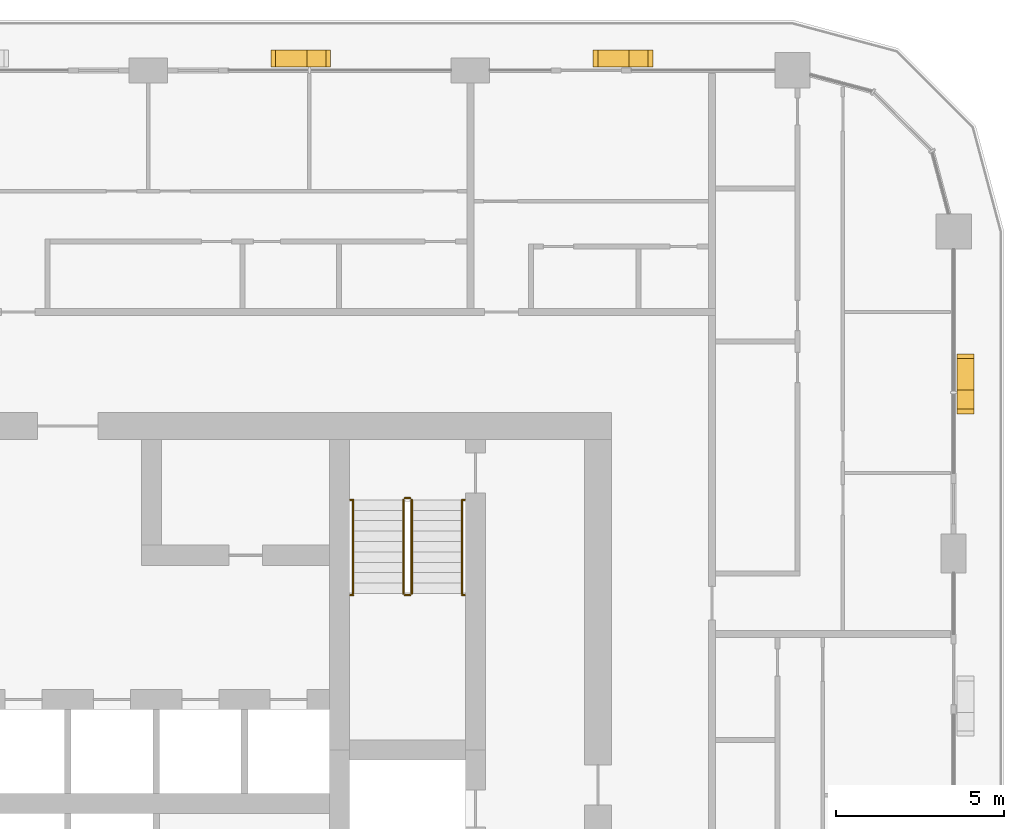
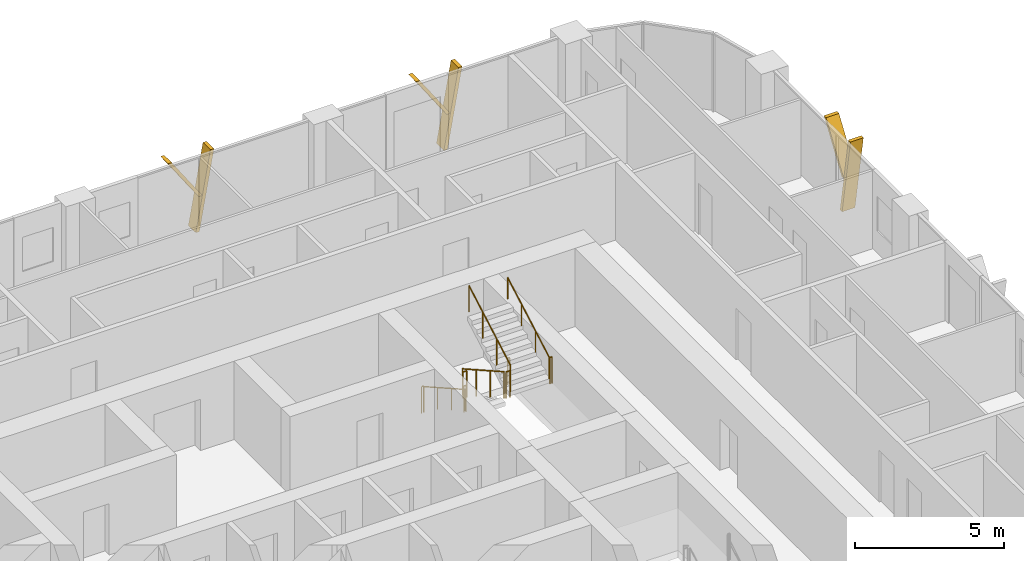
# One storey, part 22 of 22: 10 railings, 6 shading devices.
"""IFC4 building model written with IfcOpenShell, lengths in metres."""

from ifc_helpers import new_model, si_unit, direction, frame, origin, origin_2d, place, context, subcontext, project, spatial, polyline, circle, outline, extrude, material, type_object, element, save


model = new_model("IFC4")

# Units and contexts
model_context = context("Model", 3, precision=1e-05, world=origin(), true_north=direction((0.0, 1.0)))
body_context = subcontext(model_context, "Body", "Model", "MODEL_VIEW")
ifc_project = project(units=[si_unit("LENGTHUNIT", "METRE"), si_unit("AREAUNIT", "SQUARE_METRE"), si_unit("VOLUMEUNIT", "CUBIC_METRE"), si_unit("PLANEANGLEUNIT", "RADIAN"), si_unit("MASSUNIT", "GRAM", prefix="KILO")], contexts=[model_context])

# Site, building, storey
site_placement = place(None, origin())
site = spatial("IfcSite", under=ifc_project, at=site_placement, CompositionType="ELEMENT")
building_placement = place(site_placement, origin())
building = spatial("IfcBuilding", under=site, at=building_placement, Name="Madar Terraces", CompositionType="ELEMENT")
storey_placement = place(building_placement, frame((0.0, 0.0, 163.0)))
storey = spatial("IfcBuildingStorey", under=building, at=storey_placement, Name="L42", CompositionType="ELEMENT", Elevation=163.0)

# Shading devices
ifc_material_1 = material(Name="Aluminium, black anodised", Category="aluminium")
shading_device_type = type_object("IfcShadingDeviceType", Name="Facade fin blade 140 x 500", PredefinedType="USERDEFINED", material=ifc_material_1)
shading_device_1_placement = place(storey_placement, frame((57.949951171875, 38.330078125, 0.0), z_axis=(0.0, 0.0, 1.0), x_axis=(0.0, 1.0, 0.0)))
element("IfcShadingDevice", 1, at=shading_device_1_placement, inside=storey, type_object=shading_device_type, Name="FIN L42 E4", ObjectType="FIN", PredefinedType="USERDEFINED", context=body_context, shape_type="SweptSolid", body=[
    extrude(outline(polyline([(0.0, 0.0), (0.139892578125, 0.0), (-0.42431640625, 3.199951171875), (-0.564208984375, 3.199951171875), (0.0, 0.0)])), frame((0.0, 0.25, 0.0), z_axis=(0.0, -1.0, 0.0), x_axis=(1.0, 0.0, 0.0)), (0.0, 0.0, 1.0), 0.5),
])
shading_device_2_placement = place(storey_placement, frame((57.949951171875, 38.216064453125, 1.43994140625), z_axis=(0.0, 0.0, 1.0), x_axis=(0.0, 1.0, 0.0)))
element("IfcShadingDevice", 2, at=shading_device_2_placement, inside=storey, type_object=shading_device_type, Name="FIN L42 E4 branch", ObjectType="FIN", PredefinedType="USERDEFINED", context=body_context, shape_type="SweptSolid", body=[
    extrude(outline(polyline([(0.0, 0.0), (0.14013671875, 0.0), (1.32958984375, 1.760009765625), (1.189697265625, 1.760009765625), (0.0, 0.0)])), frame((0.0, 0.25, 0.0), z_axis=(0.0, -1.0, 0.0), x_axis=(1.0, 0.0, 0.0)), (0.0, 0.0, 1.0), 0.5),
])
shading_device_3_placement = place(storey_placement, frame((48.070068359375, 48.35009765625, 0.0), z_axis=(0.0, 0.0, 1.0), x_axis=(-1.0, 0.0, 0.0)))
element("IfcShadingDevice", 3, at=shading_device_3_placement, inside=storey, type_object=shading_device_type, Name="FIN L42 N1", ObjectType="FIN", PredefinedType="USERDEFINED", context=body_context, shape_type="SweptSolid", body=[
    extrude(outline(polyline([(0.0, 0.0), (0.14013671875, 0.0), (-0.42431640625, 3.199951171875), (-0.564208984375, 3.199951171875), (0.0, 0.0)])), frame((0.0, 0.25, 0.0), z_axis=(0.0, -1.0, 0.0), x_axis=(1.0, 0.0, 0.0)), (0.0, 0.0, 1.0), 0.5),
])
shading_device_4_placement = place(storey_placement, frame((48.183837890625, 48.35009765625, 1.43994140625), z_axis=(0.0, 0.0, 1.0), x_axis=(-1.0, 0.0, 0.0)))
element("IfcShadingDevice", 4, at=shading_device_4_placement, inside=storey, type_object=shading_device_type, Name="FIN L42 N1 branch", ObjectType="FIN", PredefinedType="USERDEFINED", context=body_context, shape_type="SweptSolid", body=[
    extrude(outline(polyline([(0.0, 0.0), (0.139892578125, 0.0), (1.32958984375, 1.760009765625), (1.189697265625, 1.760009765625), (0.0, 0.0)])), frame((0.0, 0.25, 0.0), z_axis=(0.0, -1.0, 0.0), x_axis=(1.0, 0.0, 0.0)), (0.0, 0.0, 1.0), 0.5),
])
shading_device_5_placement = place(storey_placement, frame((38.469970703125, 48.35009765625, 0.0), z_axis=(0.0, 0.0, 1.0), x_axis=(-1.0, 0.0, 0.0)))
element("IfcShadingDevice", 5, at=shading_device_5_placement, inside=storey, type_object=shading_device_type, Name="FIN L42 N2", ObjectType="FIN", PredefinedType="USERDEFINED", context=body_context, shape_type="SweptSolid", body=[
    extrude(outline(polyline([(0.0, 0.0), (0.139892578125, 0.0), (-0.42431640625, 3.199951171875), (-0.564208984375, 3.199951171875), (0.0, 0.0)])), frame((0.0, 0.25, 0.0), z_axis=(0.0, -1.0, 0.0), x_axis=(1.0, 0.0, 0.0)), (0.0, 0.0, 1.0), 0.5),
])
shading_device_6_placement = place(storey_placement, frame((38.583984375, 48.35009765625, 1.43994140625), z_axis=(0.0, 0.0, 1.0), x_axis=(-1.0, 0.0, 0.0)))
element("IfcShadingDevice", 6, at=shading_device_6_placement, inside=storey, type_object=shading_device_type, Name="FIN L42 N2 branch", ObjectType="FIN", PredefinedType="USERDEFINED", context=body_context, shape_type="SweptSolid", body=[
    extrude(outline(polyline([(0.0, 0.0), (0.14013671875, 0.0), (1.32958984375, 1.760009765625), (1.189697265625, 1.760009765625), (0.0, 0.0)])), frame((0.0, 0.25, 0.0), z_axis=(0.0, -1.0, 0.0), x_axis=(1.0, 0.0, 0.0)), (0.0, 0.0, 1.0), 0.5),
])

# Railings
ifc_material_2 = material(Name="Stainless steel railing", Category="steel")
railing_type_1 = type_object("IfcRailingType", Name="Stair guard 1100", PredefinedType="GUARDRAIL", material=ifc_material_2)
railing_1_placement = place(storey_placement, frame((41.199951171875, 35.199951171875, 0.175048828125)))
element("IfcRailing", 7, at=railing_1_placement, inside=storey, type_object=railing_type_1, Name="L42 ST2 stair guard 1", PredefinedType="GUARDRAIL", context=body_context, shape_type="SweptSolid", body=[
    extrude(circle(Radius=0.02392578125, at=origin_2d()), frame((0.0, 0.0, 1.076171875), z_axis=(0.0, -0.870833779661, 0.491577591232), x_axis=(1.0, 0.0, 0.0)), (0.0, 0.0, 1.0), 3.203857421875),
    extrude(circle(Radius=0.02099609375, at=origin_2d()), origin(), (0.0, 0.0, 1.0), 1.052001953125),
    extrude(circle(Radius=0.02099609375, at=origin_2d()), frame((0.0, -0.929931640625, 0.52490234375)), (0.0, 0.0, 1.0), 1.052001953125),
    extrude(circle(Radius=0.02099609375, at=origin_2d()), frame((0.0, -1.860107421875, 1.050048828125)), (0.0, 0.0, 1.0), 1.052001953125),
    extrude(circle(Radius=0.02099609375, at=origin_2d()), frame((0.0, -2.7900390625, 1.574951171875)), (0.0, 0.0, 1.0), 1.052001953125),
])
railing_2_placement = place(storey_placement, frame((41.25, 32.360107421875, 1.75)))
element("IfcRailing", 8, at=railing_2_placement, inside=storey, type_object=railing_type_1, Name="L42 ST2 stair guard 2", PredefinedType="GUARDRAIL", context=body_context, shape_type="SweptSolid", body=[
    extrude(circle(Radius=0.02392578125, at=origin_2d()), frame((0.0, 0.0, 1.076171875), z_axis=(1.0, 0.0, 0.0), x_axis=(0.0, 1.0, 0.0)), (0.0, 0.0, 1.0), 0.14990234375),
    extrude(circle(Radius=0.02099609375, at=origin_2d()), origin(), (0.0, 0.0, 1.0), 1.052001953125),
    extrude(circle(Radius=0.02099609375, at=origin_2d()), frame((0.14990234375, 0.0, 0.0)), (0.0, 0.0, 1.0), 1.052001953125),
])
railing_3_placement = place(storey_placement, frame((41.449951171875, 32.409912109375, 1.925048828125)))
element("IfcRailing", 9, at=railing_3_placement, inside=storey, type_object=railing_type_1, Name="L42 ST2 stair guard 3", PredefinedType="GUARDRAIL", context=body_context, shape_type="SweptSolid", body=[
    extrude(circle(Radius=0.02392578125, at=origin_2d()), frame((0.0, 0.0, 1.076171875), z_axis=(0.0, 0.870833779661, 0.491577591232), x_axis=(-1.0, 0.0, 0.0)), (0.0, 0.0, 1.0), 3.203857421875),
    extrude(circle(Radius=0.02099609375, at=origin_2d()), origin(), (0.0, 0.0, 1.0), 1.052001953125),
    extrude(circle(Radius=0.02099609375, at=origin_2d()), frame((0.0, 0.929931640625, 0.52490234375)), (0.0, 0.0, 1.0), 1.052001953125),
    extrude(circle(Radius=0.02099609375, at=origin_2d()), frame((0.0, 1.860107421875, 1.050048828125)), (0.0, 0.0, 1.0), 1.052001953125),
    extrude(circle(Radius=0.02099609375, at=origin_2d()), frame((0.0, 2.7900390625, 1.574951171875)), (0.0, 0.0, 1.0), 1.052001953125),
])
railing_4_placement = place(storey_placement, frame((41.25, 35.25, 0.0)))
element("IfcRailing", 10, at=railing_4_placement, inside=storey, type_object=railing_type_1, Name="L42 ST2 stair guard 4", PredefinedType="GUARDRAIL", context=body_context, shape_type="SweptSolid", body=[
    extrude(circle(Radius=0.02392578125, at=origin_2d()), frame((0.0, 0.0, 1.076171875), z_axis=(1.0, 0.0, 0.0), x_axis=(0.0, 1.0, 0.0)), (0.0, 0.0, 1.0), 0.14990234375),
    extrude(circle(Radius=0.02099609375, at=origin_2d()), origin(), (0.0, 0.0, 1.0), 1.052001953125),
    extrude(circle(Radius=0.02099609375, at=origin_2d()), frame((0.14990234375, 0.0, 0.0)), (0.0, 0.0, 1.0), 1.052001953125),
])
railing_5_placement = place(storey_placement, frame((39.6201171875, 32.360107421875, 1.75)))
element("IfcRailing", 11, at=railing_5_placement, inside=storey, type_object=railing_type_1, Name="L42 stair guard seat 1", PredefinedType="GUARDRAIL", context=body_context, shape_type="SweptSolid", body=[
    extrude(circle(Radius=0.02392578125, at=origin_2d()), frame((0.0, 0.0, 1.076171875), z_axis=(1.0, 0.0, 0.0), x_axis=(0.0, 1.0, 0.0)), (0.0, 0.0, 1.0), 0.079833984375),
    extrude(circle(Radius=0.02099609375, at=origin_2d()), origin(), (0.0, 0.0, 1.0), 1.052001953125),
    extrude(circle(Radius=0.02099609375, at=origin_2d()), frame((0.079833984375, 0.0, 0.0)), (0.0, 0.0, 1.0), 1.052001953125),
])
railing_6_placement = place(storey_placement, frame((42.949951171875, 32.360107421875, 1.75)))
element("IfcRailing", 12, at=railing_6_placement, inside=storey, type_object=railing_type_1, Name="L42 stair guard seat 2", PredefinedType="GUARDRAIL", context=body_context, shape_type="SweptSolid", body=[
    extrude(circle(Radius=0.02392578125, at=origin_2d()), frame((0.0, 0.0, 1.076171875), z_axis=(1.0, 0.0, 0.0), x_axis=(0.0, 1.0, 0.0)), (0.0, 0.0, 1.0), 0.080078125),
    extrude(circle(Radius=0.02099609375, at=origin_2d()), origin(), (0.0, 0.0, 1.0), 1.052001953125),
    extrude(circle(Radius=0.02099609375, at=origin_2d()), frame((0.080078125, 0.0, 0.0)), (0.0, 0.0, 1.0), 1.052001953125),
])
railing_7_placement = place(storey_placement, frame((39.6201171875, 35.199951171875, 0.0)))
element("IfcRailing", 13, at=railing_7_placement, inside=storey, type_object=railing_type_1, Name="L42 stair guard floor 1", PredefinedType="GUARDRAIL", context=body_context, shape_type="SweptSolid", body=[
    extrude(circle(Radius=0.02392578125, at=origin_2d()), frame((0.0, 0.0, 1.076171875), z_axis=(1.0, 0.0, 0.0), x_axis=(0.0, 1.0, 0.0)), (0.0, 0.0, 1.0), 0.079833984375),
    extrude(circle(Radius=0.02099609375, at=origin_2d()), origin(), (0.0, 0.0, 1.0), 1.052001953125),
    extrude(circle(Radius=0.02099609375, at=origin_2d()), frame((0.079833984375, 0.0, 0.0)), (0.0, 0.0, 1.0), 1.052001953125),
])
railing_8_placement = place(storey_placement, frame((42.949951171875, 35.199951171875, 0.0)))
element("IfcRailing", 14, at=railing_8_placement, inside=storey, type_object=railing_type_1, Name="L42 stair guard floor 2", PredefinedType="GUARDRAIL", context=body_context, shape_type="SweptSolid", body=[
    extrude(circle(Radius=0.02392578125, at=origin_2d()), frame((0.0, 0.0, 1.076171875), z_axis=(1.0, 0.0, 0.0), x_axis=(0.0, 1.0, 0.0)), (0.0, 0.0, 1.0), 0.080078125),
    extrude(circle(Radius=0.02099609375, at=origin_2d()), origin(), (0.0, 0.0, 1.0), 1.052001953125),
    extrude(circle(Radius=0.02099609375, at=origin_2d()), frame((0.080078125, 0.0, 0.0)), (0.0, 0.0, 1.0), 1.052001953125),
])
ifc_material_3 = material(Name="Stainless steel railing", Category="steel")
railing_type_2 = type_object("IfcRailingType", Name="Stair handrail 900", PredefinedType="HANDRAIL", material=ifc_material_3)
railing_9_placement = place(storey_placement, frame((39.699951171875, 35.199951171875, 0.175048828125)))
element("IfcRailing", 15, at=railing_9_placement, inside=storey, type_object=railing_type_2, Name="L42 ST2 stair handrail 1", PredefinedType="HANDRAIL", context=body_context, shape_type="SweptSolid", body=[
    extrude(circle(Radius=0.02392578125, at=origin_2d()), frame((0.0, 0.0, 0.8759765625), z_axis=(0.0, -0.870833779661, 0.491577591232), x_axis=(1.0, 0.0, 0.0)), (0.0, 0.0, 1.0), 3.203857421875),
    extrude(circle(Radius=0.02099609375, at=origin_2d()), origin(), (0.0, 0.0, 1.0), 0.851806640625),
    extrude(circle(Radius=0.02099609375, at=origin_2d()), frame((0.0, -0.929931640625, 0.52490234375)), (0.0, 0.0, 1.0), 0.851806640625),
    extrude(circle(Radius=0.02099609375, at=origin_2d()), frame((0.0, -1.860107421875, 1.050048828125)), (0.0, 0.0, 1.0), 0.851806640625),
    extrude(circle(Radius=0.02099609375, at=origin_2d()), frame((0.0, -2.7900390625, 1.574951171875)), (0.0, 0.0, 1.0), 0.851806640625),
])
railing_10_placement = place(storey_placement, frame((42.949951171875, 32.409912109375, 1.925048828125)))
element("IfcRailing", 16, at=railing_10_placement, inside=storey, type_object=railing_type_2, Name="L42 ST2 stair handrail 2", PredefinedType="HANDRAIL", context=body_context, shape_type="SweptSolid", body=[
    extrude(circle(Radius=0.02392578125, at=origin_2d()), frame((0.0, 0.0, 0.8759765625), z_axis=(0.0, 0.870833779661, 0.491577591232), x_axis=(-1.0, 0.0, 0.0)), (0.0, 0.0, 1.0), 3.203857421875),
    extrude(circle(Radius=0.02099609375, at=origin_2d()), origin(), (0.0, 0.0, 1.0), 0.851806640625),
    extrude(circle(Radius=0.02099609375, at=origin_2d()), frame((0.0, 0.929931640625, 0.52490234375)), (0.0, 0.0, 1.0), 0.851806640625),
    extrude(circle(Radius=0.02099609375, at=origin_2d()), frame((0.0, 1.860107421875, 1.050048828125)), (0.0, 0.0, 1.0), 0.851806640625),
    extrude(circle(Radius=0.02099609375, at=origin_2d()), frame((0.0, 2.7900390625, 1.574951171875)), (0.0, 0.0, 1.0), 0.851806640625),
])

save(model, "model.ifc")
